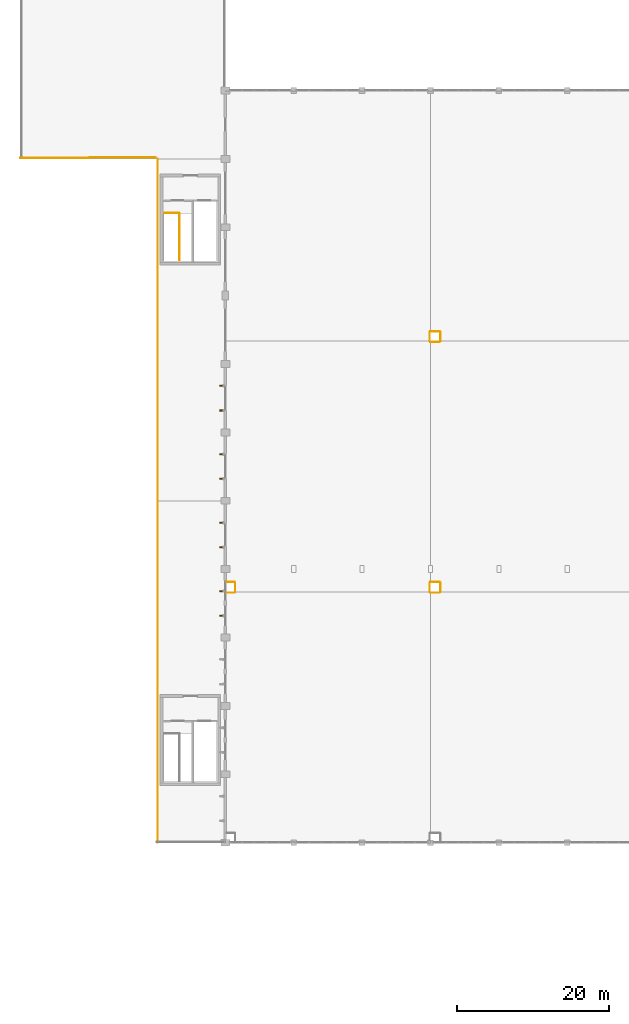
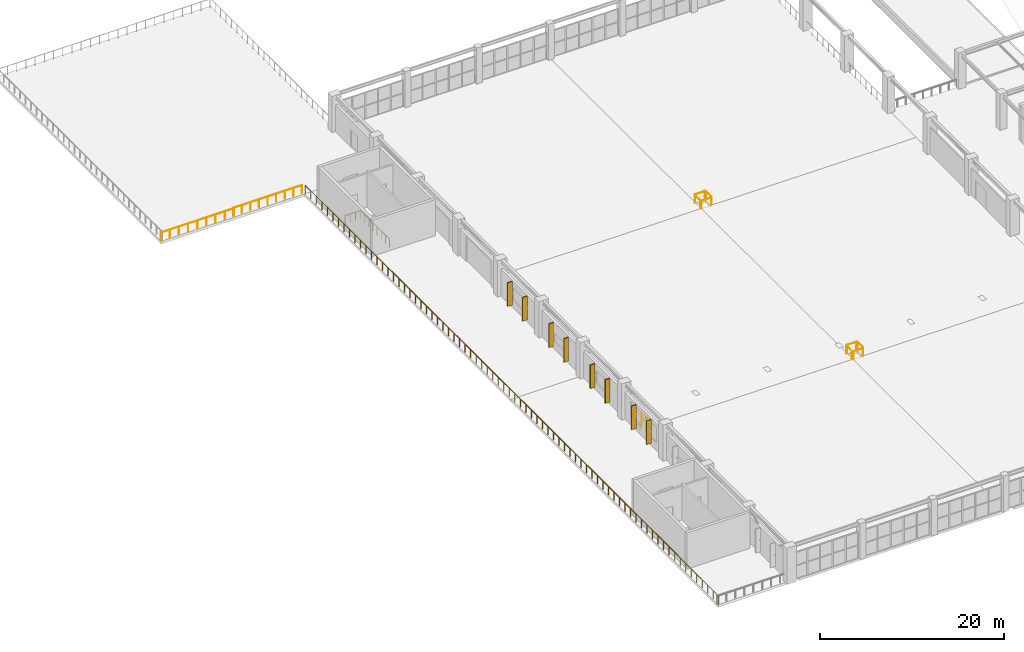
# One storey, part 74 of 89: 15 railings, 8 shading devices.
"""IFC4 building model written with IfcOpenShell, lengths in metres."""

from ifc_helpers import new_model, si_unit, direction, frame, origin, origin_2d, place, context, subcontext, project, spatial, rectangle, circle, extrude, material, layer, layer_set, type_object, element, save


model = new_model("IFC4")

# Units and contexts
model_context = context("Model", 3, precision=1e-05, world=origin(), true_north=direction((0.0, 1.0)))
body_context = subcontext(model_context, "Body", "Model", "MODEL_VIEW")
ifc_project = project(units=[si_unit("LENGTHUNIT", "METRE"), si_unit("AREAUNIT", "SQUARE_METRE"), si_unit("VOLUMEUNIT", "CUBIC_METRE"), si_unit("PLANEANGLEUNIT", "RADIAN"), si_unit("MASSUNIT", "GRAM", prefix="KILO")], contexts=[model_context])

# Site, building, storey
site_placement = place(None, origin())
site = spatial("IfcSite", under=ifc_project, at=site_placement, CompositionType="ELEMENT")
building_placement = place(site_placement, origin())
building = spatial("IfcBuilding", under=site, at=building_placement, Name="Dornveld Trade and Exhibition Forum", CompositionType="ELEMENT")
storey_placement = place(building_placement, frame((0.0, 0.0, 12.0)))
storey = spatial("IfcBuildingStorey", under=building, at=storey_placement, Name="L02", CompositionType="ELEMENT", Elevation=12.0)

# Railings
ifc_material_1 = material(Name="Dark-bronze steel and laminated glass balustrade", Category="steel")
railing_type_1 = type_object("IfcRailingType", Name="RL-BALUST-CONC", PredefinedType="BALUSTRADE", material=ifc_material_1)
railing_1_placement = place(storey_placement, frame((18.10009765625, 36.0, 0.0)))
element("IfcRailing", 1, at=railing_1_placement, inside=storey, type_object=railing_type_1, Name="L02 deck edge balustrade 126", PredefinedType="BALUSTRADE", context=body_context, shape_type="SweptSolid", body=[
    extrude(circle(Radius=0.02490234375, at=origin_2d()), frame((0.0, 0.0, 1.09521484375), z_axis=(0.0, 1.0, 0.0), x_axis=(-1.0, 0.0, 0.0)), (0.0, 0.0, 1.0), 90.0),
    extrude(circle(Radius=0.02099609375, at=origin_2d()), origin(), (0.0, 0.0, 1.0), 1.070068359375),
    extrude(circle(Radius=0.02099609375, at=origin_2d()), frame((0.0, 1.199951171875, 0.0)), (0.0, 0.0, 1.0), 1.070068359375),
    extrude(circle(Radius=0.02099609375, at=origin_2d()), frame((0.0, 2.39990234375, 0.0)), (0.0, 0.0, 1.0), 1.070068359375),
    extrude(circle(Radius=0.02099609375, at=origin_2d()), frame((0.0, 3.60009765625, 0.0)), (0.0, 0.0, 1.0), 1.070068359375),
    extrude(circle(Radius=0.02099609375, at=origin_2d()), frame((0.0, 4.800048828125, 0.0)), (0.0, 0.0, 1.0), 1.070068359375),
    extrude(circle(Radius=0.02099609375, at=origin_2d()), frame((0.0, 6.0, 0.0)), (0.0, 0.0, 1.0), 1.070068359375),
    extrude(circle(Radius=0.02099609375, at=origin_2d()), frame((0.0, 7.199951171875, 0.0)), (0.0, 0.0, 1.0), 1.070068359375),
    extrude(circle(Radius=0.02099609375, at=origin_2d()), frame((0.0, 8.39990234375, 0.0)), (0.0, 0.0, 1.0), 1.070068359375),
    extrude(circle(Radius=0.02099609375, at=origin_2d()), frame((0.0, 9.60009765625, 0.0)), (0.0, 0.0, 1.0), 1.070068359375),
    extrude(circle(Radius=0.02099609375, at=origin_2d()), frame((0.0, 10.800048828125, 0.0)), (0.0, 0.0, 1.0), 1.070068359375),
    extrude(circle(Radius=0.02099609375, at=origin_2d()), frame((0.0, 12.0, 0.0)), (0.0, 0.0, 1.0), 1.070068359375),
    extrude(circle(Radius=0.02099609375, at=origin_2d()), frame((0.0, 13.199951171875, 0.0)), (0.0, 0.0, 1.0), 1.070068359375),
    extrude(circle(Radius=0.02099609375, at=origin_2d()), frame((0.0, 14.39990234375, 0.0)), (0.0, 0.0, 1.0), 1.070068359375),
    extrude(circle(Radius=0.02099609375, at=origin_2d()), frame((0.0, 15.60009765625, 0.0)), (0.0, 0.0, 1.0), 1.070068359375),
    extrude(circle(Radius=0.02099609375, at=origin_2d()), frame((0.0, 16.800048828125, 0.0)), (0.0, 0.0, 1.0), 1.070068359375),
    extrude(circle(Radius=0.02099609375, at=origin_2d()), frame((0.0, 18.0, 0.0)), (0.0, 0.0, 1.0), 1.070068359375),
    extrude(circle(Radius=0.02099609375, at=origin_2d()), frame((0.0, 19.199951171875, 0.0)), (0.0, 0.0, 1.0), 1.070068359375),
    extrude(circle(Radius=0.02099609375, at=origin_2d()), frame((0.0, 20.39990234375, 0.0)), (0.0, 0.0, 1.0), 1.070068359375),
    extrude(circle(Radius=0.02099609375, at=origin_2d()), frame((0.0, 21.60009765625, 0.0)), (0.0, 0.0, 1.0), 1.070068359375),
    extrude(circle(Radius=0.02099609375, at=origin_2d()), frame((0.0, 22.800048828125, 0.0)), (0.0, 0.0, 1.0), 1.070068359375),
    extrude(circle(Radius=0.02099609375, at=origin_2d()), frame((0.0, 24.0, 0.0)), (0.0, 0.0, 1.0), 1.070068359375),
    extrude(circle(Radius=0.02099609375, at=origin_2d()), frame((0.0, 25.199951171875, 0.0)), (0.0, 0.0, 1.0), 1.070068359375),
    extrude(circle(Radius=0.02099609375, at=origin_2d()), frame((0.0, 26.39990234375, 0.0)), (0.0, 0.0, 1.0), 1.070068359375),
    extrude(circle(Radius=0.02099609375, at=origin_2d()), frame((0.0, 27.60009765625, 0.0)), (0.0, 0.0, 1.0), 1.070068359375),
    extrude(circle(Radius=0.02099609375, at=origin_2d()), frame((0.0, 28.800048828125, 0.0)), (0.0, 0.0, 1.0), 1.070068359375),
    extrude(circle(Radius=0.02099609375, at=origin_2d()), frame((0.0, 30.0, 0.0)), (0.0, 0.0, 1.0), 1.070068359375),
    extrude(circle(Radius=0.02099609375, at=origin_2d()), frame((0.0, 31.199951171875, 0.0)), (0.0, 0.0, 1.0), 1.070068359375),
    extrude(circle(Radius=0.02099609375, at=origin_2d()), frame((0.0, 32.39990234375, 0.0)), (0.0, 0.0, 1.0), 1.070068359375),
    extrude(circle(Radius=0.02099609375, at=origin_2d()), frame((0.0, 33.60009765625, 0.0)), (0.0, 0.0, 1.0), 1.070068359375),
    extrude(circle(Radius=0.02099609375, at=origin_2d()), frame((0.0, 34.800048828125, 0.0)), (0.0, 0.0, 1.0), 1.070068359375),
    extrude(circle(Radius=0.02099609375, at=origin_2d()), frame((0.0, 36.0, 0.0)), (0.0, 0.0, 1.0), 1.070068359375),
    extrude(circle(Radius=0.02099609375, at=origin_2d()), frame((0.0, 37.199951171875, 0.0)), (0.0, 0.0, 1.0), 1.070068359375),
    extrude(circle(Radius=0.02099609375, at=origin_2d()), frame((0.0, 38.39990234375, 0.0)), (0.0, 0.0, 1.0), 1.070068359375),
    extrude(circle(Radius=0.02099609375, at=origin_2d()), frame((0.0, 39.60009765625, 0.0)), (0.0, 0.0, 1.0), 1.070068359375),
    extrude(circle(Radius=0.02099609375, at=origin_2d()), frame((0.0, 40.800048828125, 0.0)), (0.0, 0.0, 1.0), 1.070068359375),
    extrude(circle(Radius=0.02099609375, at=origin_2d()), frame((0.0, 42.0, 0.0)), (0.0, 0.0, 1.0), 1.070068359375),
    extrude(circle(Radius=0.02099609375, at=origin_2d()), frame((0.0, 43.199951171875, 0.0)), (0.0, 0.0, 1.0), 1.070068359375),
    extrude(circle(Radius=0.02099609375, at=origin_2d()), frame((0.0, 44.39990234375, 0.0)), (0.0, 0.0, 1.0), 1.070068359375),
    extrude(circle(Radius=0.02099609375, at=origin_2d()), frame((0.0, 45.60009765625, 0.0)), (0.0, 0.0, 1.0), 1.070068359375),
    extrude(circle(Radius=0.02099609375, at=origin_2d()), frame((0.0, 46.800048828125, 0.0)), (0.0, 0.0, 1.0), 1.070068359375),
    extrude(circle(Radius=0.02099609375, at=origin_2d()), frame((0.0, 48.0, 0.0)), (0.0, 0.0, 1.0), 1.070068359375),
    extrude(circle(Radius=0.02099609375, at=origin_2d()), frame((0.0, 49.199951171875, 0.0)), (0.0, 0.0, 1.0), 1.070068359375),
    extrude(circle(Radius=0.02099609375, at=origin_2d()), frame((0.0, 50.39990234375, 0.0)), (0.0, 0.0, 1.0), 1.070068359375),
    extrude(circle(Radius=0.02099609375, at=origin_2d()), frame((0.0, 51.60009765625, 0.0)), (0.0, 0.0, 1.0), 1.070068359375),
    extrude(circle(Radius=0.02099609375, at=origin_2d()), frame((0.0, 52.800048828125, 0.0)), (0.0, 0.0, 1.0), 1.070068359375),
    extrude(circle(Radius=0.02099609375, at=origin_2d()), frame((0.0, 54.0, 0.0)), (0.0, 0.0, 1.0), 1.070068359375),
    extrude(circle(Radius=0.02099609375, at=origin_2d()), frame((0.0, 55.199951171875, 0.0)), (0.0, 0.0, 1.0), 1.070068359375),
    extrude(circle(Radius=0.02099609375, at=origin_2d()), frame((0.0, 56.39990234375, 0.0)), (0.0, 0.0, 1.0), 1.070068359375),
    extrude(circle(Radius=0.02099609375, at=origin_2d()), frame((0.0, 57.60009765625, 0.0)), (0.0, 0.0, 1.0), 1.070068359375),
    extrude(circle(Radius=0.02099609375, at=origin_2d()), frame((0.0, 58.800048828125, 0.0)), (0.0, 0.0, 1.0), 1.070068359375),
    extrude(circle(Radius=0.02099609375, at=origin_2d()), frame((0.0, 60.0, 0.0)), (0.0, 0.0, 1.0), 1.070068359375),
    extrude(circle(Radius=0.02099609375, at=origin_2d()), frame((0.0, 61.199951171875, 0.0)), (0.0, 0.0, 1.0), 1.070068359375),
    extrude(circle(Radius=0.02099609375, at=origin_2d()), frame((0.0, 62.39990234375, 0.0)), (0.0, 0.0, 1.0), 1.070068359375),
    extrude(circle(Radius=0.02099609375, at=origin_2d()), frame((0.0, 63.60009765625, 0.0)), (0.0, 0.0, 1.0), 1.070068359375),
    extrude(circle(Radius=0.02099609375, at=origin_2d()), frame((0.0, 64.800048828125, 0.0)), (0.0, 0.0, 1.0), 1.070068359375),
    extrude(circle(Radius=0.02099609375, at=origin_2d()), frame((0.0, 66.0, 0.0)), (0.0, 0.0, 1.0), 1.070068359375),
    extrude(circle(Radius=0.02099609375, at=origin_2d()), frame((0.0, 67.199951171875, 0.0)), (0.0, 0.0, 1.0), 1.070068359375),
    extrude(circle(Radius=0.02099609375, at=origin_2d()), frame((0.0, 68.39990234375, 0.0)), (0.0, 0.0, 1.0), 1.070068359375),
    extrude(circle(Radius=0.02099609375, at=origin_2d()), frame((0.0, 69.60009765625, 0.0)), (0.0, 0.0, 1.0), 1.070068359375),
    extrude(circle(Radius=0.02099609375, at=origin_2d()), frame((0.0, 70.800048828125, 0.0)), (0.0, 0.0, 1.0), 1.070068359375),
    extrude(circle(Radius=0.02099609375, at=origin_2d()), frame((0.0, 72.0, 0.0)), (0.0, 0.0, 1.0), 1.070068359375),
    extrude(circle(Radius=0.02099609375, at=origin_2d()), frame((0.0, 73.199951171875, 0.0)), (0.0, 0.0, 1.0), 1.070068359375),
    extrude(circle(Radius=0.02099609375, at=origin_2d()), frame((0.0, 74.39990234375, 0.0)), (0.0, 0.0, 1.0), 1.070068359375),
    extrude(circle(Radius=0.02099609375, at=origin_2d()), frame((0.0, 75.60009765625, 0.0)), (0.0, 0.0, 1.0), 1.070068359375),
    extrude(circle(Radius=0.02099609375, at=origin_2d()), frame((0.0, 76.800048828125, 0.0)), (0.0, 0.0, 1.0), 1.070068359375),
    extrude(circle(Radius=0.02099609375, at=origin_2d()), frame((0.0, 78.0, 0.0)), (0.0, 0.0, 1.0), 1.070068359375),
    extrude(circle(Radius=0.02099609375, at=origin_2d()), frame((0.0, 79.199951171875, 0.0)), (0.0, 0.0, 1.0), 1.070068359375),
    extrude(circle(Radius=0.02099609375, at=origin_2d()), frame((0.0, 80.39990234375, 0.0)), (0.0, 0.0, 1.0), 1.070068359375),
    extrude(circle(Radius=0.02099609375, at=origin_2d()), frame((0.0, 81.60009765625, 0.0)), (0.0, 0.0, 1.0), 1.070068359375),
    extrude(circle(Radius=0.02099609375, at=origin_2d()), frame((0.0, 82.800048828125, 0.0)), (0.0, 0.0, 1.0), 1.070068359375),
    extrude(circle(Radius=0.02099609375, at=origin_2d()), frame((0.0, 84.0, 0.0)), (0.0, 0.0, 1.0), 1.070068359375),
    extrude(circle(Radius=0.02099609375, at=origin_2d()), frame((0.0, 85.199951171875, 0.0)), (0.0, 0.0, 1.0), 1.070068359375),
    extrude(circle(Radius=0.02099609375, at=origin_2d()), frame((0.0, 86.39990234375, 0.0)), (0.0, 0.0, 1.0), 1.070068359375),
    extrude(circle(Radius=0.02099609375, at=origin_2d()), frame((0.0, 87.60009765625, 0.0)), (0.0, 0.0, 1.0), 1.070068359375),
    extrude(circle(Radius=0.02099609375, at=origin_2d()), frame((0.0, 88.800048828125, 0.0)), (0.0, 0.0, 1.0), 1.070068359375),
    extrude(circle(Radius=0.02099609375, at=origin_2d()), frame((0.0, 90.0, 0.0)), (0.0, 0.0, 1.0), 1.070068359375),
])
railing_2_placement = place(storey_placement, frame((9.199951171875, 126.10009765625, 0.0)))
element("IfcRailing", 2, at=railing_2_placement, inside=storey, type_object=railing_type_1, Name="L02 deck edge balustrade 127", PredefinedType="BALUSTRADE", context=body_context, shape_type="SweptSolid", body=[
    extrude(circle(Radius=0.02490234375, at=origin_2d()), frame((0.0, 0.0, 1.09521484375), z_axis=(-1.0, 0.0, 0.0), x_axis=(0.0, -1.0, 0.0)), (0.0, 0.0, 1.0), 9.199951171875),
    extrude(circle(Radius=0.02099609375, at=origin_2d()), origin(), (0.0, 0.0, 1.0), 1.070068359375),
    extrude(circle(Radius=0.02099609375, at=origin_2d()), frame((-1.14990234375, 0.0, 0.0)), (0.0, 0.0, 1.0), 1.070068359375),
    extrude(circle(Radius=0.02099609375, at=origin_2d()), frame((-2.300048828125, 0.0, 0.0)), (0.0, 0.0, 1.0), 1.070068359375),
    extrude(circle(Radius=0.02099609375, at=origin_2d()), frame((-3.449951171875, 0.0, 0.0)), (0.0, 0.0, 1.0), 1.070068359375),
    extrude(circle(Radius=0.02099609375, at=origin_2d()), frame((-4.60009765625, 0.0, 0.0)), (0.0, 0.0, 1.0), 1.070068359375),
    extrude(circle(Radius=0.02099609375, at=origin_2d()), frame((-5.75, 0.0, 0.0)), (0.0, 0.0, 1.0), 1.070068359375),
    extrude(circle(Radius=0.02099609375, at=origin_2d()), frame((-6.89990234375, 0.0, 0.0)), (0.0, 0.0, 1.0), 1.070068359375),
    extrude(circle(Radius=0.02099609375, at=origin_2d()), frame((-8.050048828125, 0.0, 0.0)), (0.0, 0.0, 1.0), 1.070068359375),
    extrude(circle(Radius=0.02099609375, at=origin_2d()), frame((-9.199951171875, 0.0, 0.0)), (0.0, 0.0, 1.0), 1.070068359375),
])
railing_3_placement = place(storey_placement, frame((55.300048828125, 69.0, 0.0)))
element("IfcRailing", 3, at=railing_3_placement, inside=storey, type_object=railing_type_1, Name="L02 deck edge balustrade 160", PredefinedType="BALUSTRADE", context=body_context, shape_type="SweptSolid", body=[
    extrude(circle(Radius=0.02490234375, at=origin_2d()), frame((0.0, 0.0, 1.09521484375), z_axis=(0.0, 1.0, 0.0), x_axis=(-1.0, 0.0, 0.0)), (0.0, 0.0, 1.0), 1.199951171875),
    extrude(circle(Radius=0.02099609375, at=origin_2d()), origin(), (0.0, 0.0, 1.0), 1.070068359375),
    extrude(circle(Radius=0.02099609375, at=origin_2d()), frame((0.0, 1.199951171875, 0.0)), (0.0, 0.0, 1.0), 1.070068359375),
])
railing_4_placement = place(storey_placement, frame((55.199951171875, 70.300048828125, 0.0)))
element("IfcRailing", 4, at=railing_4_placement, inside=storey, type_object=railing_type_1, Name="L02 deck edge balustrade 161", PredefinedType="BALUSTRADE", context=body_context, shape_type="SweptSolid", body=[
    extrude(circle(Radius=0.02490234375, at=origin_2d()), frame((0.0, 0.0, 1.09521484375), z_axis=(-1.0, 0.0, 0.0), x_axis=(0.0, -1.0, 0.0)), (0.0, 0.0, 1.0), 1.199951171875),
    extrude(circle(Radius=0.02099609375, at=origin_2d()), origin(), (0.0, 0.0, 1.0), 1.070068359375),
    extrude(circle(Radius=0.02099609375, at=origin_2d()), frame((-1.199951171875, 0.0, 0.0)), (0.0, 0.0, 1.0), 1.070068359375),
])
railing_5_placement = place(storey_placement, frame((53.89990234375, 70.199951171875, 0.0)))
element("IfcRailing", 5, at=railing_5_placement, inside=storey, type_object=railing_type_1, Name="L02 deck edge balustrade 162", PredefinedType="BALUSTRADE", context=body_context, shape_type="SweptSolid", body=[
    extrude(circle(Radius=0.02490234375, at=origin_2d()), frame((0.0, 0.0, 1.09521484375), z_axis=(0.0, -1.0, 0.0), x_axis=(1.0, 0.0, 0.0)), (0.0, 0.0, 1.0), 1.199951171875),
    extrude(circle(Radius=0.02099609375, at=origin_2d()), origin(), (0.0, 0.0, 1.0), 1.070068359375),
    extrude(circle(Radius=0.02099609375, at=origin_2d()), frame((0.0, -1.199951171875, 0.0)), (0.0, 0.0, 1.0), 1.070068359375),
])
for number, where, name in (
    (6, (54.0, 68.89990234375, 0.0), "L02 deck edge balustrade 163"),
    (7, (54.0, 101.89990234375, 0.0), "L02 deck edge balustrade 164"),
):
    element("IfcRailing", number, at=place(storey_placement, frame(where)), inside=storey, type_object=railing_type_1, Name=name, PredefinedType="BALUSTRADE", context=body_context, shape_type="SweptSolid", body=[
        extrude(circle(Radius=0.02490234375, at=origin_2d()), frame((0.0, 0.0, 1.09521484375), z_axis=(1.0, 0.0, 0.0), x_axis=(0.0, 1.0, 0.0)), (0.0, 0.0, 1.0), 1.199951171875),
        extrude(circle(Radius=0.02099609375, at=origin_2d()), origin(), (0.0, 0.0, 1.0), 1.070068359375),
        extrude(circle(Radius=0.02099609375, at=origin_2d()), frame((1.199951171875, 0.0, 0.0)), (0.0, 0.0, 1.0), 1.070068359375),
    ])
railing_6_placement = place(storey_placement, frame((55.300048828125, 102.0, 0.0)))
element("IfcRailing", 8, at=railing_6_placement, inside=storey, type_object=railing_type_1, Name="L02 deck edge balustrade 165", PredefinedType="BALUSTRADE", context=body_context, shape_type="SweptSolid", body=[
    extrude(circle(Radius=0.02490234375, at=origin_2d()), frame((0.0, 0.0, 1.09521484375), z_axis=(0.0, 1.0, 0.0), x_axis=(-1.0, 0.0, 0.0)), (0.0, 0.0, 1.0), 1.199951171875),
    extrude(circle(Radius=0.02099609375, at=origin_2d()), origin(), (0.0, 0.0, 1.0), 1.070068359375),
    extrude(circle(Radius=0.02099609375, at=origin_2d()), frame((0.0, 1.199951171875, 0.0)), (0.0, 0.0, 1.0), 1.070068359375),
])
railing_7_placement = place(storey_placement, frame((55.199951171875, 103.300048828125, 0.0)))
element("IfcRailing", 9, at=railing_7_placement, inside=storey, type_object=railing_type_1, Name="L02 deck edge balustrade 166", PredefinedType="BALUSTRADE", context=body_context, shape_type="SweptSolid", body=[
    extrude(circle(Radius=0.02490234375, at=origin_2d()), frame((0.0, 0.0, 1.09521484375), z_axis=(-1.0, 0.0, 0.0), x_axis=(0.0, -1.0, 0.0)), (0.0, 0.0, 1.0), 1.199951171875),
    extrude(circle(Radius=0.02099609375, at=origin_2d()), origin(), (0.0, 0.0, 1.0), 1.070068359375),
    extrude(circle(Radius=0.02099609375, at=origin_2d()), frame((-1.199951171875, 0.0, 0.0)), (0.0, 0.0, 1.0), 1.070068359375),
])
railing_8_placement = place(storey_placement, frame((53.89990234375, 103.199951171875, 0.0)))
element("IfcRailing", 10, at=railing_8_placement, inside=storey, type_object=railing_type_1, Name="L02 deck edge balustrade 167", PredefinedType="BALUSTRADE", context=body_context, shape_type="SweptSolid", body=[
    extrude(circle(Radius=0.02490234375, at=origin_2d()), frame((0.0, 0.0, 1.09521484375), z_axis=(0.0, -1.0, 0.0), x_axis=(1.0, 0.0, 0.0)), (0.0, 0.0, 1.0), 1.199951171875),
    extrude(circle(Radius=0.02099609375, at=origin_2d()), origin(), (0.0, 0.0, 1.0), 1.070068359375),
    extrude(circle(Radius=0.02099609375, at=origin_2d()), frame((0.0, -1.199951171875, 0.0)), (0.0, 0.0, 1.0), 1.070068359375),
])
railing_9_placement = place(storey_placement, frame((27.179931640625, 68.89990234375, 0.0)))
element("IfcRailing", 11, at=railing_9_placement, inside=storey, type_object=railing_type_1, Name="L02 deck edge balustrade 168", PredefinedType="BALUSTRADE", context=body_context, shape_type="SweptSolid", body=[
    extrude(circle(Radius=0.02490234375, at=origin_2d()), frame((0.0, 0.0, 1.09521484375), z_axis=(1.0, 0.0, 0.0), x_axis=(0.0, 1.0, 0.0)), (0.0, 0.0, 1.0), 1.02001953125),
    extrude(circle(Radius=0.02099609375, at=origin_2d()), origin(), (0.0, 0.0, 1.0), 1.070068359375),
    extrude(circle(Radius=0.02099609375, at=origin_2d()), frame((1.02001953125, 0.0, 0.0)), (0.0, 0.0, 1.0), 1.070068359375),
])
railing_10_placement = place(storey_placement, frame((28.300048828125, 69.0, 0.0)))
element("IfcRailing", 12, at=railing_10_placement, inside=storey, type_object=railing_type_1, Name="L02 deck edge balustrade 169", PredefinedType="BALUSTRADE", context=body_context, shape_type="SweptSolid", body=[
    extrude(circle(Radius=0.02490234375, at=origin_2d()), frame((0.0, 0.0, 1.09521484375), z_axis=(0.0, 1.0, 0.0), x_axis=(-1.0, 0.0, 0.0)), (0.0, 0.0, 1.0), 1.199951171875),
    extrude(circle(Radius=0.02099609375, at=origin_2d()), origin(), (0.0, 0.0, 1.0), 1.070068359375),
    extrude(circle(Radius=0.02099609375, at=origin_2d()), frame((0.0, 1.199951171875, 0.0)), (0.0, 0.0, 1.0), 1.070068359375),
])
railing_11_placement = place(storey_placement, frame((28.199951171875, 70.300048828125, 0.0)))
element("IfcRailing", 13, at=railing_11_placement, inside=storey, type_object=railing_type_1, Name="L02 deck edge balustrade 170", PredefinedType="BALUSTRADE", context=body_context, shape_type="SweptSolid", body=[
    extrude(circle(Radius=0.02490234375, at=origin_2d()), frame((0.0, 0.0, 1.09521484375), z_axis=(-1.0, 0.0, 0.0), x_axis=(0.0, -1.0, 0.0)), (0.0, 0.0, 1.0), 1.02001953125),
    extrude(circle(Radius=0.02099609375, at=origin_2d()), origin(), (0.0, 0.0, 1.0), 1.070068359375),
    extrude(circle(Radius=0.02099609375, at=origin_2d()), frame((-1.02001953125, 0.0, 0.0)), (0.0, 0.0, 1.0), 1.070068359375),
])
ifc_material_2 = material(Name="Galvanised steel S355J2 balustrade", Category="steel")
railing_type_2 = type_object("IfcRailingType", Name="RL-GUARD-TERR", PredefinedType="GUARDRAIL", material=ifc_material_2)
railing_12_placement = place(storey_placement, frame((9.199951171875, 126.199951171875, 0.0)))
element("IfcRailing", 14, at=railing_12_placement, inside=storey, type_object=railing_type_2, Name="L02 protective edge guard 8", PredefinedType="GUARDRAIL", context=body_context, shape_type="SweptSolid", body=[
    extrude(circle(Radius=0.02490234375, at=origin_2d()), frame((0.0, 0.0, 1.09521484375), z_axis=(1.0, 0.0, 0.0), x_axis=(0.0, 1.0, 0.0)), (0.0, 0.0, 1.0), 8.60009765625),
    extrude(circle(Radius=0.02099609375, at=origin_2d()), origin(), (0.0, 0.0, 1.0), 1.070068359375),
    extrude(circle(Radius=0.02099609375, at=origin_2d()), frame((1.074951171875, 0.0, 0.0)), (0.0, 0.0, 1.0), 1.070068359375),
    extrude(circle(Radius=0.02099609375, at=origin_2d()), frame((2.14990234375, 0.0, 0.0)), (0.0, 0.0, 1.0), 1.070068359375),
    extrude(circle(Radius=0.02099609375, at=origin_2d()), frame((3.22509765625, 0.0, 0.0)), (0.0, 0.0, 1.0), 1.070068359375),
    extrude(circle(Radius=0.02099609375, at=origin_2d()), frame((4.300048828125, 0.0, 0.0)), (0.0, 0.0, 1.0), 1.070068359375),
    extrude(circle(Radius=0.02099609375, at=origin_2d()), frame((5.375, 0.0, 0.0)), (0.0, 0.0, 1.0), 1.070068359375),
    extrude(circle(Radius=0.02099609375, at=origin_2d()), frame((6.4501953125, 0.0, 0.0)), (0.0, 0.0, 1.0), 1.070068359375),
    extrude(circle(Radius=0.02099609375, at=origin_2d()), frame((7.525146484375, 0.0, 0.0)), (0.0, 0.0, 1.0), 1.070068359375),
    extrude(circle(Radius=0.02099609375, at=origin_2d()), frame((8.60009765625, 0.0, 0.0)), (0.0, 0.0, 1.0), 1.070068359375),
])
ifc_material_3 = material(Name="Painted steel S355J2 stair-well guard", Category="steel")
railing_type_3 = type_object("IfcRailingType", Name="RL-WELL-110", PredefinedType="GUARDRAIL", material=ifc_material_3)
railing_13_placement = place(storey_placement, frame((18.97998046875, 118.8701171875, 0.0)))
element("IfcRailing", 15, at=railing_13_placement, inside=storey, type_object=railing_type_3, Name="CORE-10 L02 stair-well top guard", PredefinedType="GUARDRAIL", context=body_context, shape_type="SweptSolid", body=[
    extrude(circle(Radius=0.02392578125, at=origin_2d()), frame((0.0, 0.0, 1.076171875), z_axis=(1.0, 0.0, 0.0), x_axis=(0.0, 1.0, 0.0)), (0.0, 0.0, 1.0), 1.969970703125),
    extrude(circle(Radius=0.02392578125, at=origin_2d()), frame((1.969970703125, 0.0, 1.076171875), z_axis=(0.0, -1.0, 0.0), x_axis=(1.0, 0.0, 0.0)), (0.0, 0.0, 1.0), 6.25),
    extrude(circle(Radius=0.02001953125, at=origin_2d()), origin(), (0.0, 0.0, 1.0), 1.052001953125),
    extrude(circle(Radius=0.02001953125, at=origin_2d()), frame((0.65673828125, 0.0, 0.0)), (0.0, 0.0, 1.0), 1.052001953125),
    extrude(circle(Radius=0.02001953125, at=origin_2d()), frame((1.313232421875, 0.0, 0.0)), (0.0, 0.0, 1.0), 1.052001953125),
    extrude(circle(Radius=0.02001953125, at=origin_2d()), frame((1.969970703125, 0.0, 0.0)), (0.0, 0.0, 1.0), 1.052001953125),
    extrude(circle(Radius=0.02001953125, at=origin_2d()), frame((1.969970703125, -0.892822265625, 0.0)), (0.0, 0.0, 1.0), 1.052001953125),
    extrude(circle(Radius=0.02001953125, at=origin_2d()), frame((1.969970703125, -1.78564453125, 0.0)), (0.0, 0.0, 1.0), 1.052001953125),
    extrude(circle(Radius=0.02001953125, at=origin_2d()), frame((1.969970703125, -2.678466796875, 0.0)), (0.0, 0.0, 1.0), 1.052001953125),
    extrude(circle(Radius=0.02001953125, at=origin_2d()), frame((1.969970703125, -3.571533203125, 0.0)), (0.0, 0.0, 1.0), 1.052001953125),
    extrude(circle(Radius=0.02001953125, at=origin_2d()), frame((1.969970703125, -4.46435546875, 0.0)), (0.0, 0.0, 1.0), 1.052001953125),
    extrude(circle(Radius=0.02001953125, at=origin_2d()), frame((1.969970703125, -5.357177734375, 0.0)), (0.0, 0.0, 1.0), 1.052001953125),
    extrude(circle(Radius=0.02001953125, at=origin_2d()), frame((1.969970703125, -6.25, 0.0)), (0.0, 0.0, 1.0), 1.052001953125),
])

# Shading devices
ifc_material_4 = material(Name="Precast concrete C50/60", Category="concrete")
ifc_layer = layer(ifc_material_4, 0.139892578125)
ifc_layer_set = layer_set([ifc_layer], Name="Precast concrete C50/60")
shading_device_type = type_object("IfcShadingDeviceType", Name="SHD-FIN-600", PredefinedType="JALOUSIE", material=ifc_layer_set)
for number, where, z_axis, x_axis, name in (
    (16, (26.5400390625, 69.1201171875, 0.30029296875), (0.0, 0.0, 1.0), (0.0, -1.0, 0.0), "L02 vertical solar brise-soleil fin 47"),
    (17, (26.5400390625, 65.8798828125, 0.30029296875), (0.0, 0.0, 1.0), (0.0, -1.0, 0.0), "L02 vertical solar brise-soleil fin 48"),
    (18, (26.5400390625, 78.1201171875, 0.30029296875), (0.0, 0.0, 1.0), (0.0, -1.0, 0.0), "L02 vertical solar brise-soleil fin 55"),
    (19, (26.5400390625, 74.8798828125, 0.30029296875), (0.0, 0.0, 1.0), (0.0, -1.0, 0.0), "L02 vertical solar brise-soleil fin 56"),
    (20, (26.5400390625, 87.1201171875, 0.30029296875), (0.0, 0.0, 1.0), (0.0, -1.0, 0.0), "L02 vertical solar brise-soleil fin 63"),
    (21, (26.5400390625, 83.8798828125, 0.30029296875), (0.0, 0.0, 1.0), (0.0, -1.0, 0.0), "L02 vertical solar brise-soleil fin 64"),
    (22, (26.5400390625, 96.1201171875, 0.30029296875), (0.0, 0.0, 1.0), (0.0, -1.0, 0.0), "L02 vertical solar brise-soleil fin 71"),
    (23, (26.5400390625, 92.8798828125, 0.30029296875), (0.0, 0.0, 1.0), (0.0, -1.0, 0.0), "L02 vertical solar brise-soleil fin 72"),
):
    element("IfcShadingDevice", number, at=place(storey_placement, frame(where, z_axis=z_axis, x_axis=x_axis)), inside=storey, type_object=shading_device_type, Name=name, PredefinedType="JALOUSIE", context=body_context, shape_type="SweptSolid", body=[
        extrude(rectangle(XDim=0.139892578125, YDim=0.60009765625, at=origin_2d()), origin(), (0.0, 0.0, 1.0), 3.139892578125),
    ])

save(model, "model.ifc")
